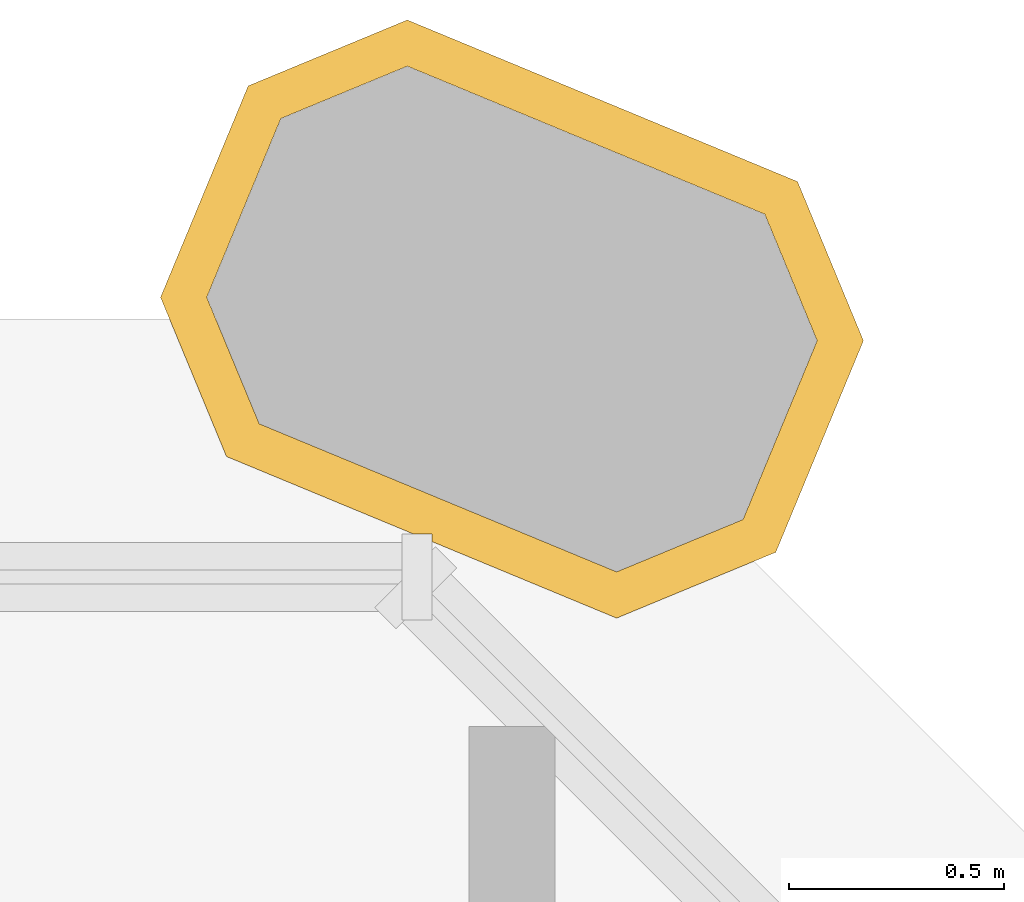
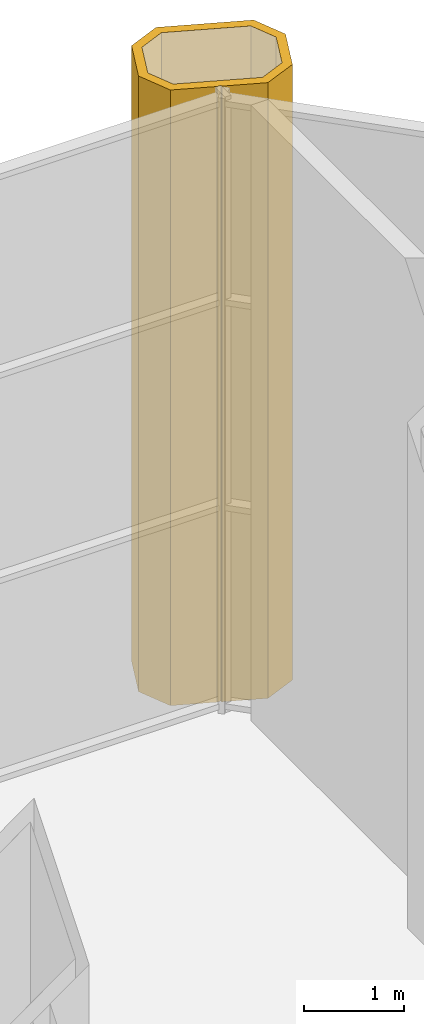
# One storey, part 19 of 20: 1 covering.
"""IFC4 building model written with IfcOpenShell, lengths in metres."""

from ifc_helpers import new_model, si_unit, direction, frame, origin, place, context, subcontext, project, spatial, polyline, outline, extrude, material, layer, layer_set, type_object, element, save


model = new_model("IFC4")

# Units and contexts
model_context = context("Model", 3, precision=1e-05, world=origin(), true_north=direction((0.0, 1.0)))
body_context = subcontext(model_context, "Body", "Model", "MODEL_VIEW")
ifc_project = project(units=[si_unit("LENGTHUNIT", "METRE"), si_unit("AREAUNIT", "SQUARE_METRE"), si_unit("VOLUMEUNIT", "CUBIC_METRE"), si_unit("PLANEANGLEUNIT", "RADIAN"), si_unit("MASSUNIT", "GRAM", prefix="KILO")], contexts=[model_context])

# Site, building, storey
site_placement = place(None, origin())
site = spatial("IfcSite", under=ifc_project, at=site_placement, CompositionType="ELEMENT")
building_placement = place(site_placement, origin())
building = spatial("IfcBuilding", under=site, at=building_placement, Name="Tabaq Tower and Sports Hall", CompositionType="ELEMENT")
storey_placement = place(building_placement, frame((0.0, 0.0, 130.60009765625)))
storey = spatial("IfcBuildingStorey", under=building, at=storey_placement, Name="L31", CompositionType="ELEMENT", Elevation=130.60009765625)

# Covering
ifc_material = material(Name="Precast concrete C60/75", Category="concrete")
ifc_layer = layer(ifc_material, 0.10009765625)
ifc_layer_set = layer_set([ifc_layer], Name="Column cladding 100")
covering_type = type_object("IfcCoveringType", Name="Column cladding 100", PredefinedType="CLADDING", material=ifc_layer_set)
covering_placement = place(storey_placement, origin())
element("IfcCovering", 1, at=covering_placement, inside=storey, type_object=covering_type, Name="Column cladding L31 PC-8I-S1", PredefinedType="CLADDING", context=body_context, shape_type="SweptSolid", body=[
    extrude(outline(polyline([(38.413818359375, 42.657470703125), (38.04345703125, 42.504150390625), (37.614013671875, 42.68212890625), (37.614013671875, 42.7001953125), (37.570068359375, 42.7001953125), (37.1357421875, 42.880126953125), (36.982421875, 43.25048828125), (37.186279296875, 43.742431640625), (37.556396484375, 43.895751953125), (38.46435546875, 43.519775390625), (38.61767578125, 43.149658203125), (38.413818359375, 42.657470703125)]), holes=[polyline([(37.26220703125, 43.66650390625), (37.08984375, 43.25048828125), (37.2119140625, 42.956298828125), (38.04345703125, 42.61181640625), (38.337646484375, 42.733642578125), (38.510009765625, 43.149658203125), (38.38818359375, 43.44384765625), (37.556396484375, 43.788330078125), (37.26220703125, 43.66650390625)])]), origin(), (0.0, 0.0, 1.0), 7.5),
])

save(model, "model.ifc")
